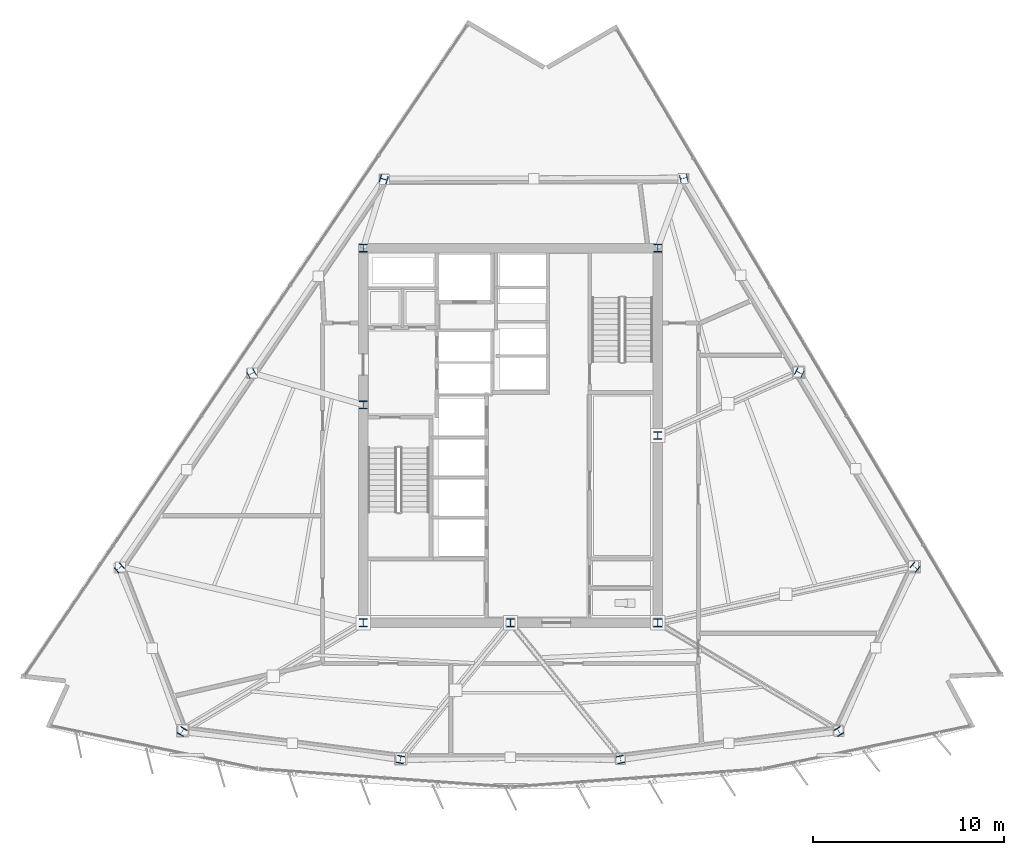
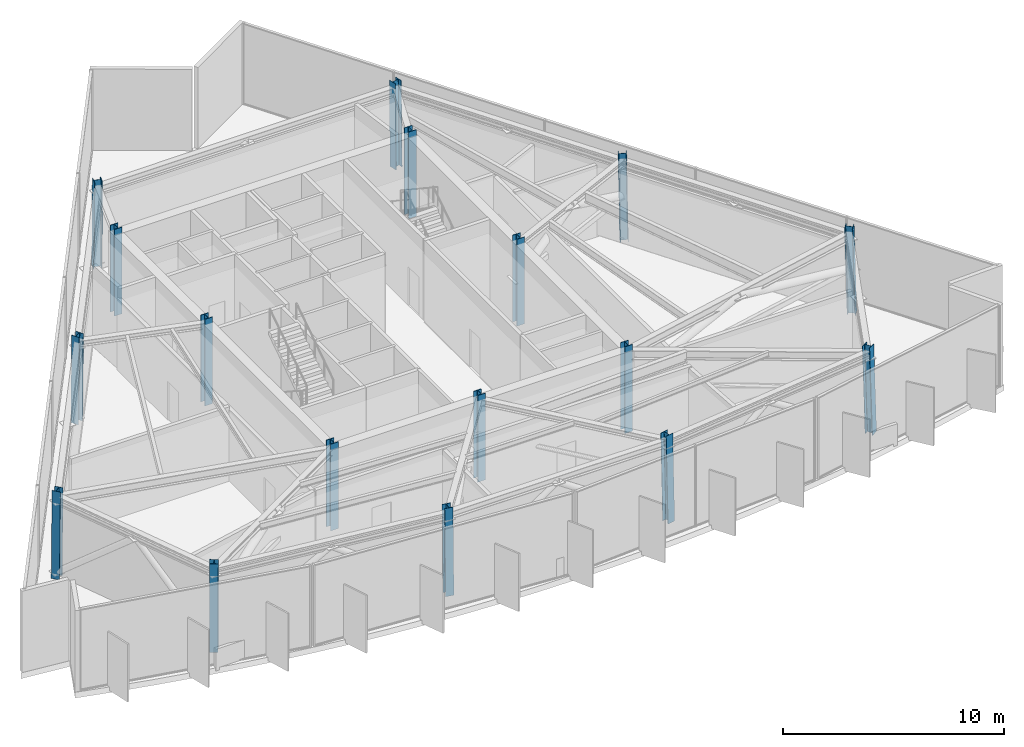
# One storey, part 1 of 14: 17 columns.
"""IFC4 building model written with IfcOpenShell, lengths in metres."""

import ifcopenshell
import ifcopenshell.guid

model = None  # the IFC model being written
_history = None  # IfcOwnerHistory: only IFC2X3 demands one
_inside = {}  # id of a spatial element -> (the spatial element, [elements in it])
_under = {}  # id of a project, library or spatial element -> (it, [spatial elements below it])
_declared = {}  # id of a project -> (the project, [libraries it declares])
_typed = {}  # id of a type object -> (the type object, [elements of that type])
_made_of = {}  # id of a material, layer set ... -> (it, [elements and type objects made of it])


def new_model(schema):
    """Start an empty IFC model of exactly this schema.

    Asked for "IFC4X3", IfcOpenShell would pick the latest addendum, in which some entities
    have other attributes; the version numbers below select the first issue.
    IFC2X3 requires an IfcOwnerHistory on every rooted entity: one is made here for all.
    """
    global model, _history
    if schema == "IFC4X3":
        model = ifcopenshell.file(schema_version=(4, 3, 0, 0))
    else:
        model = ifcopenshell.file(schema=schema)
    _inside.clear()
    _under.clear()
    _declared.clear()
    _typed.clear()
    _made_of.clear()
    _history = None
    if model.schema == "IFC2X3":
        org = make("IfcOrganization", Name="unknown")
        user = make(
            "IfcPersonAndOrganization",
            ThePerson=make("IfcPerson", FamilyName="unknown"),
            TheOrganization=org,
        )
        app = make(
            "IfcApplication",
            ApplicationDeveloper=org,
            Version="unknown",
            ApplicationFullName="unknown",
            ApplicationIdentifier="unknown",
        )
        _history = make(
            "IfcOwnerHistory",
            OwningUser=user,
            OwningApplication=app,
            ChangeAction="ADDED",
            CreationDate=0,
        )
    return model


def make(cls, **values):
    """One entity of the class cls with the attributes given. An attribute that is None is left unset."""
    return model.create_entity(
        cls, **{name: value for name, value in values.items() if value is not None}
    )


def rooted(cls, **values):
    """An entity with a GlobalId (a new one), such as an element, a storey or a relation."""
    return make(cls, GlobalId=ifcopenshell.guid.new(), OwnerHistory=_history, **values)


def si_unit(unit_type, name, prefix=None):
    """IfcSIUnit, for example si_unit("LENGTHUNIT", "METRE", prefix="MILLI")."""
    return make("IfcSIUnit", UnitType=unit_type, Prefix=prefix, Name=name)


def assignment(units):
    """IfcUnitAssignment: the units of a project."""
    return None if units is None else make("IfcUnitAssignment", Units=units)


def point(xyz):
    """IfcCartesianPoint."""
    return None if xyz is None else make("IfcCartesianPoint", Coordinates=xyz)


def direction(xyz):
    """IfcDirection."""
    return None if xyz is None else make("IfcDirection", DirectionRatios=xyz)


def frame(location, z_axis=None, x_axis=None):
    """IfcAxis2Placement3D, a coordinate frame: its origin and axes. An axis left out is left unset."""
    return make(
        "IfcAxis2Placement3D",
        Location=point(location),
        Axis=direction(z_axis),
        RefDirection=direction(x_axis),
    )


def frame_2d(location, x_axis=None):
    """IfcAxis2Placement2D, a coordinate frame in the plane: its origin and x axis."""
    return make(
        "IfcAxis2Placement2D", Location=point(location), RefDirection=direction(x_axis)
    )


def origin():
    """The frame at (0, 0, 0) with its axes left unset."""
    return frame((0.0, 0.0, 0.0))


def origin_2d():
    """The frame at (0, 0) in the plane with its x axis left unset."""
    return frame_2d((0.0, 0.0))


def place(relative_to, where):
    """IfcLocalPlacement: puts the frame where relative to a parent placement (None: the world)."""
    return make(
        "IfcLocalPlacement", PlacementRelTo=relative_to, RelativePlacement=where
    )


def context(
    kind, dimensions, precision=None, world=None, true_north=None, identifier=None
):
    """IfcGeometricRepresentationContext, for example the 3D "Model" context."""
    return make(
        "IfcGeometricRepresentationContext",
        ContextIdentifier=identifier,
        ContextType=kind,
        CoordinateSpaceDimension=dimensions,
        Precision=precision,
        WorldCoordinateSystem=world,
        TrueNorth=true_north,
    )


def subcontext(parent, identifier, kind, view, scale=None):
    """IfcGeometricRepresentationSubContext, for example "Body" below "Model"."""
    return make(
        "IfcGeometricRepresentationSubContext",
        ContextIdentifier=identifier,
        ContextType=kind,
        ParentContext=parent,
        TargetScale=scale,
        TargetView=view,
    )


def project(units=None, contexts=None):
    """IfcProject with its units and contexts."""
    return rooted(
        "IfcProject",
        Name="project",
        RepresentationContexts=contexts,
        UnitsInContext=assignment(units),
    )


def spatial(cls, under=None, at=None, **own):
    """A site, building, storey or space (cls), placed at a placement, below another one or the project."""
    s = rooted(cls, ObjectPlacement=at, **own)
    if under is not None:
        _under.setdefault(under.id(), (under, []))[1].append(s)
    return s


def profile(cls, at=None, kind="AREA", **sizes):
    """A parametric profile (cls). Its sizes go by their IFC names, for example OverallWidth=200.0."""
    return make(cls, ProfileType=kind, Position=at, **sizes)


def i_section(**sizes):
    """IfcIShapeProfileDef."""
    return profile("IfcIShapeProfileDef", **sizes)


def extrude(swept, where, along, depth):
    """IfcExtrudedAreaSolid: the profile swept, set in the frame where, extruded along a direction by depth."""
    return make(
        "IfcExtrudedAreaSolid",
        SweptArea=swept,
        Position=where,
        ExtrudedDirection=direction(along),
        Depth=depth,
    )


def shape(context_of_items, identifier, shape_type, items):
    """IfcShapeRepresentation: the items that make up one representation, for example the "Body"."""
    return make(
        "IfcShapeRepresentation",
        ContextOfItems=context_of_items,
        RepresentationIdentifier=identifier,
        RepresentationType=shape_type,
        Items=items,
    )


def material(Name=None, Category=None):
    """IfcMaterial."""
    return make("IfcMaterial", Name=Name, Category=Category)


def material_profile(
    of_material, cross_section, Name=None, Category=None, Priority=None
):
    """IfcMaterialProfile: a cross section and its material."""
    return make(
        "IfcMaterialProfile",
        Name=Name,
        Material=of_material,
        Profile=cross_section,
        Priority=Priority,
        Category=Category,
    )


def profile_set(profiles, Name=None, composite=None):
    """IfcMaterialProfileSet."""
    return make(
        "IfcMaterialProfileSet",
        Name=Name,
        MaterialProfiles=profiles,
        CompositeProfile=composite,
    )


def made_of(thing, what):
    """Note that an element or type object is made of a material, layer set ...; save() writes the relation."""
    if what is not None:
        _made_of.setdefault(what.id(), (what, []))[1].append(thing)
    return thing


def type_object(cls, material=None, **own):
    """A type object (cls), such as IfcWallType, which elements share."""
    return made_of(rooted(cls, **own), material)


def element(
    cls,
    number,
    at=None,
    inside=None,
    cuts=None,
    type_object=None,
    material=None,
    context=None,
    identifier="Body",
    shape_type=None,
    held_by="IfcProductDefinitionShape",
    body=None,
    shapes=None,
    **own,
):
    """One element of the class cls, such as IfcWall. Its Tag is "e" and its number.

    at: its placement. inside: the storey or other place that contains it. cuts: it is an
    opening in that element (IfcRelVoidsElement). A single representation is given by context,
    identifier, shape_type and body (its items); several are given by shapes. held_by: the class
    of the entity that holds the representations. save() writes the other relations.
    """
    e = rooted(cls, Tag="e%d" % number, ObjectPlacement=at, **own)
    if body is not None:
        shapes = [shape(context, identifier, shape_type, body)]
    if shapes is not None:
        e.Representation = make(held_by, Representations=shapes)
    if inside is not None:
        _inside.setdefault(inside.id(), (inside, []))[1].append(e)
    if cuts is not None:
        rooted(
            "IfcRelVoidsElement", RelatingBuildingElement=cuts, RelatedOpeningElement=e
        )
    if type_object is not None:
        _typed.setdefault(type_object.id(), (type_object, []))[1].append(e)
    return made_of(e, material)


def aggregate(whole, parts):
    """IfcRelAggregates: a whole, such as a stair, and the parts it consists of."""
    return rooted("IfcRelAggregates", RelatingObject=whole, RelatedObjects=parts)


def save(model, path):
    """Write the relations noted so far, then the file.

    IfcRelAggregates (storeys below a building ...), IfcRelContainedInSpatialStructure (elements
    in a storey), IfcRelDefinesByType, IfcRelAssociatesMaterial and IfcRelDeclares: one each for
    every whole, place, type object, material and project.
    """
    for whole, parts in _under.values():
        aggregate(whole, parts)
    for where, things in _inside.values():
        rooted(
            "IfcRelContainedInSpatialStructure",
            RelatedElements=things,
            RelatingStructure=where,
        )
    for kind, things in _typed.values():
        rooted("IfcRelDefinesByType", RelatedObjects=things, RelatingType=kind)
    for what, things in _made_of.values():
        rooted("IfcRelAssociatesMaterial", RelatedObjects=things, RelatingMaterial=what)
    for by, libraries in _declared.values():
        rooted("IfcRelDeclares", RelatingContext=by, RelatedDefinitions=libraries)
    model.write(path)


model = new_model("IFC4")

# Units and contexts
model_context = context("Model", 3, precision=1e-05, world=origin(), true_north=direction((0.0, 1.0)))
body_context = subcontext(model_context, "Body", "Model", "MODEL_VIEW")
ifc_project = project(units=[si_unit("LENGTHUNIT", "METRE"), si_unit("AREAUNIT", "SQUARE_METRE"), si_unit("VOLUMEUNIT", "CUBIC_METRE"), si_unit("PLANEANGLEUNIT", "RADIAN"), si_unit("MASSUNIT", "GRAM", prefix="KILO")], contexts=[model_context])

# Site, building, storey
site_placement = place(None, origin())
site = spatial("IfcSite", under=ifc_project, at=site_placement, CompositionType="ELEMENT")
building_placement = place(site_placement, origin())
building = spatial("IfcBuilding", under=site, at=building_placement, Name="Savorim Split Tower", CompositionType="ELEMENT")
storey_placement = place(building_placement, frame((0.0, 0.0, 185.39990234375)))
storey = spatial("IfcBuildingStorey", under=building, at=storey_placement, Name="L49", CompositionType="ELEMENT", Elevation=185.39990234375)

# Columns
ifc_material_1 = material(Name="Steel S355", Category="steel")
ifc_material_profile_1 = material_profile(ifc_material_1, i_section(OverallWidth=0.39794921875, OverallDepth=0.386962890625, WebThickness=0.013427734375, FlangeThickness=0.02197265625, FilletRadius=0.014892578125, at=origin_2d()), Name="HD 400x262")
ifc_profile_set_1 = profile_set([ifc_material_profile_1], Name="Steel S355")
column_type_1 = type_object("IfcColumnType", Name="COL-HD-262", PredefinedType="COLUMN", material=ifc_profile_set_1)
column_1_placement = place(storey_placement, frame((-17.190185546875, -15.10107421875, 0.005615234375), z_axis=(0.015439857484, 0.025121616302, 0.999565163056), x_axis=(-0.851954850327, 0.523615252838, 0.0)))
element("IfcColumn", 1, at=column_1_placement, inside=storey, type_object=column_type_1, Name="L49 Tapered Perimeter Column PC-S1", PredefinedType="COLUMN", context=body_context, shape_type="SweptSolid", body=[
    extrude(i_section(OverallWidth=0.39794921875, OverallDepth=0.386962890625, WebThickness=0.013427734375, FlangeThickness=0.02197265625, FilletRadius=0.014892578125, at=origin_2d()), origin(), (0.0, 0.0, 1.0), 4.791259765625),
])
for number, where, z_axis, x_axis, name in (
    (2, (-5.761474609375, -16.568359375, 0.005615234375), (0.005197947592, 0.026448380393, 0.999636666252), (-0.981229659911, 0.192842823335, 0.0), "L49 Tapered Perimeter Column PC-S2"),
    (3, (5.761474609375, -16.568359375, 0.005615234375), (-0.005197947592, 0.026448380393, 0.999636666252), (-0.981229659911, -0.192842823335, 0.0), "L49 Tapered Perimeter Column PC-S3"),
):
    element("IfcColumn", number, at=place(storey_placement, frame(where, z_axis=z_axis, x_axis=x_axis)), inside=storey, type_object=column_type_1, Name=name, PredefinedType="COLUMN", context=body_context, shape_type="SweptSolid", body=[
        extrude(i_section(OverallWidth=0.39794921875, OverallDepth=0.386962890625, WebThickness=0.013427734375, FlangeThickness=0.02197265625, FilletRadius=0.014892578125, at=origin_2d()), origin(), (0.0, 0.0, 1.0), 4.790771484375),
    ])
column_2_placement = place(storey_placement, frame((17.190185546875, -15.10107421875, 0.005615234375), z_axis=(-0.015439857484, 0.025121616302, 0.999565163056), x_axis=(-0.851954850327, -0.523615252838, 0.0)))
element("IfcColumn", 4, at=column_2_placement, inside=storey, type_object=column_type_1, Name="L49 Tapered Perimeter Column PC-S4", PredefinedType="COLUMN", context=body_context, shape_type="SweptSolid", body=[
    extrude(i_section(OverallWidth=0.39794921875, OverallDepth=0.386962890625, WebThickness=0.013427734375, FlangeThickness=0.02197265625, FilletRadius=0.014892578125, at=origin_2d()), origin(), (0.0, 0.0, 1.0), 4.791259765625),
])
column_3_placement = place(storey_placement, frame((21.1708984375, -6.497314453125, 0.005615234375), z_axis=(-0.019518593425, 0.016206038405, 0.999678142619), x_axis=(-0.638800249892, -0.769372628015, 0.0)))
element("IfcColumn", 5, at=column_3_placement, inside=storey, type_object=column_type_1, Name="L49 Tapered Perimeter Column PC-E1", PredefinedType="COLUMN", context=body_context, shape_type="SweptSolid", body=[
    extrude(i_section(OverallWidth=0.39794921875, OverallDepth=0.386962890625, WebThickness=0.013427734375, FlangeThickness=0.02197265625, FilletRadius=0.014892578125, at=origin_2d()), origin(), (0.0, 0.0, 1.0), 4.79052734375),
])
column_4_placement = place(storey_placement, frame((15.11962890625, 3.6796875, 0.005615234375), z_axis=(-0.014170320574, 0.007136132663, 0.999874130891), x_axis=(-0.449781931574, -0.893138406984, 0.0)))
element("IfcColumn", 6, at=column_4_placement, inside=storey, type_object=column_type_1, Name="L49 Tapered Perimeter Column PC-E2", PredefinedType="COLUMN", context=body_context, shape_type="SweptSolid", body=[
    extrude(i_section(OverallWidth=0.39794921875, OverallDepth=0.386962890625, WebThickness=0.013427734375, FlangeThickness=0.02197265625, FilletRadius=0.014892578125, at=origin_2d()), origin(), (0.0, 0.0, 1.0), 4.78955078125),
])
column_5_placement = place(storey_placement, frame((9.068115234375, 13.856689453125, 0.005615234375), z_axis=(-0.008818971646, -0.001937115159, 0.999959235831), x_axis=(0.214538664031, -0.976715496773, 0.0)))
element("IfcColumn", 7, at=column_5_placement, inside=storey, type_object=column_type_1, Name="L49 Tapered Perimeter Column PC-E3", PredefinedType="COLUMN", context=body_context, shape_type="SweptSolid", body=[
    extrude(i_section(OverallWidth=0.39794921875, OverallDepth=0.386962890625, WebThickness=0.013427734375, FlangeThickness=0.02197265625, FilletRadius=0.014892578125, at=origin_2d()), origin(), (0.0, 0.0, 1.0), 4.789306640625),
])
column_6_placement = place(storey_placement, frame((-6.62939453125, 13.807861328125, 0.005615234375), z_axis=(0.006627085102, -0.001937147953, 0.999976164316), x_axis=(0.280566991813, 0.959834445675, 0.0)))
element("IfcColumn", 8, at=column_6_placement, inside=storey, type_object=column_type_1, Name="L49 Tapered Perimeter Column PC-W1", PredefinedType="COLUMN", context=body_context, shape_type="SweptSolid", body=[
    extrude(i_section(OverallWidth=0.39794921875, OverallDepth=0.386962890625, WebThickness=0.013427734375, FlangeThickness=0.02197265625, FilletRadius=0.014892578125, at=origin_2d()), origin(), (0.0, 0.0, 1.0), 4.7890625),
])
column_7_placement = place(storey_placement, frame((-13.552490234375, 3.630859375, 0.005615234375), z_axis=(0.012794303817, 0.007136265077, 0.999892683997), x_axis=(-0.487119351792, 0.873335409284, 0.0)))
element("IfcColumn", 9, at=column_7_placement, inside=storey, type_object=column_type_1, Name="L49 Tapered Perimeter Column PC-W2", PredefinedType="COLUMN", context=body_context, shape_type="SweptSolid", body=[
    extrude(i_section(OverallWidth=0.39794921875, OverallDepth=0.386962890625, WebThickness=0.013427734375, FlangeThickness=0.02197265625, FilletRadius=0.014892578125, at=origin_2d()), origin(), (0.0, 0.0, 1.0), 4.78955078125),
])
column_8_placement = place(storey_placement, frame((-20.4755859375, -6.546142578125, 0.005615234375), z_axis=(0.018907266959, 0.016206228822, 0.999689888617), x_axis=(-0.650791373456, 0.759256602365, 0.0)))
element("IfcColumn", 10, at=column_8_placement, inside=storey, type_object=column_type_1, Name="L49 Tapered Perimeter Column PC-W3", PredefinedType="COLUMN", context=body_context, shape_type="SweptSolid", body=[
    extrude(i_section(OverallWidth=0.39794921875, OverallDepth=0.386962890625, WebThickness=0.013427734375, FlangeThickness=0.02197265625, FilletRadius=0.014892578125, at=origin_2d()), origin(), (0.0, 0.0, 1.0), 4.79052734375),
])
ifc_material_2 = material(Name="Steel S460", Category="steel")
ifc_material_profile_2 = material_profile(ifc_material_2, i_section(OverallWidth=0.404052734375, OverallDepth=0.406982421875, WebThickness=0.017333984375, FlangeThickness=0.028076171875, FilletRadius=0.014892578125, at=origin_2d()), Name="HD 400x347")
ifc_profile_set_2 = profile_set([ifc_material_profile_2], Name="Steel S460")
column_type_2 = type_object("IfcColumnType", Name="COL-HD-347", PredefinedType="COLUMN", material=ifc_profile_set_2)
for number, where, z_axis, x_axis, name in (
    (11, (-7.699951171875, -9.39990234375, 0.0), (0.0, 0.0, 1.0), (1.0, 0.0, 0.0), "L49 Core Structural Column TC-C1"),
    (12, (7.699951171875, -9.39990234375, 0.0), (0.0, 0.0, 1.0), (1.0, 0.0, 0.0), "L49 Core Structural Column TC-C2"),
    (13, (7.699951171875, 10.199951171875, 0.0), (0.0, 0.0, 1.0), (1.0, 0.0, 0.0), "L49 Core Structural Column TC-C3"),
    (14, (-7.699951171875, 10.199951171875, 0.0), (0.0, 0.0, 1.0), (1.0, 0.0, 0.0), "L49 Core Structural Column TC-C4"),
    (15, (0.0, -9.39990234375, 0.0), (0.0, 0.0, 1.0), (1.0, 0.0, 0.0), "L49 Core Structural Column TC-C5"),
    (16, (7.699951171875, 0.39990234375, 0.0), (0.0, 0.0, 1.0), (1.0, 0.0, 0.0), "L49 Core Structural Column TC-C6"),
    (17, (-7.699951171875, 2.0, 0.0), (0.0, 0.0, 1.0), (1.0, 0.0, 0.0), "L49 Core Structural Column TC-C7"),
):
    element("IfcColumn", number, at=place(storey_placement, frame(where, z_axis=z_axis, x_axis=x_axis)), inside=storey, type_object=column_type_2, Name=name, PredefinedType="COLUMN", context=body_context, shape_type="SweptSolid", body=[
        extrude(i_section(OverallWidth=0.404052734375, OverallDepth=0.406982421875, WebThickness=0.017333984375, FlangeThickness=0.028076171875, FilletRadius=0.014892578125, at=origin_2d()), origin(), (0.0, 0.0, 1.0), 4.800048828125),
    ])

save(model, "model.ifc")
